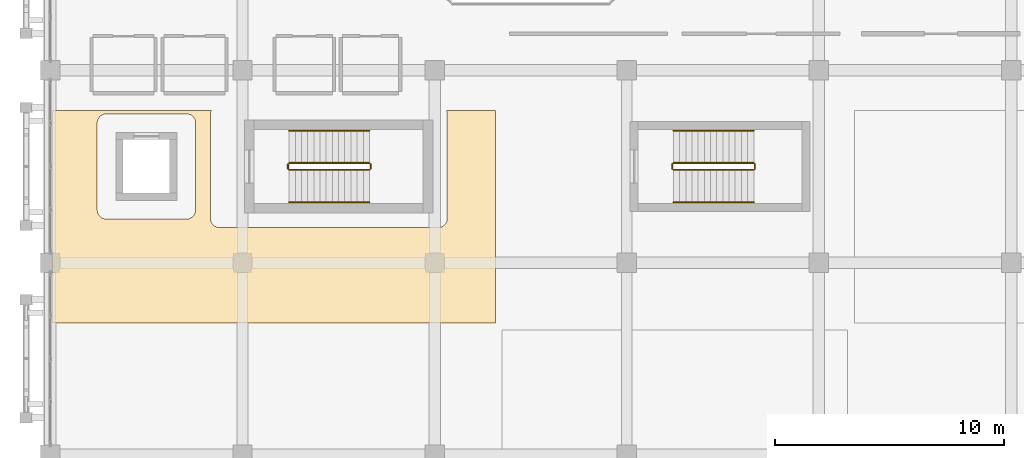
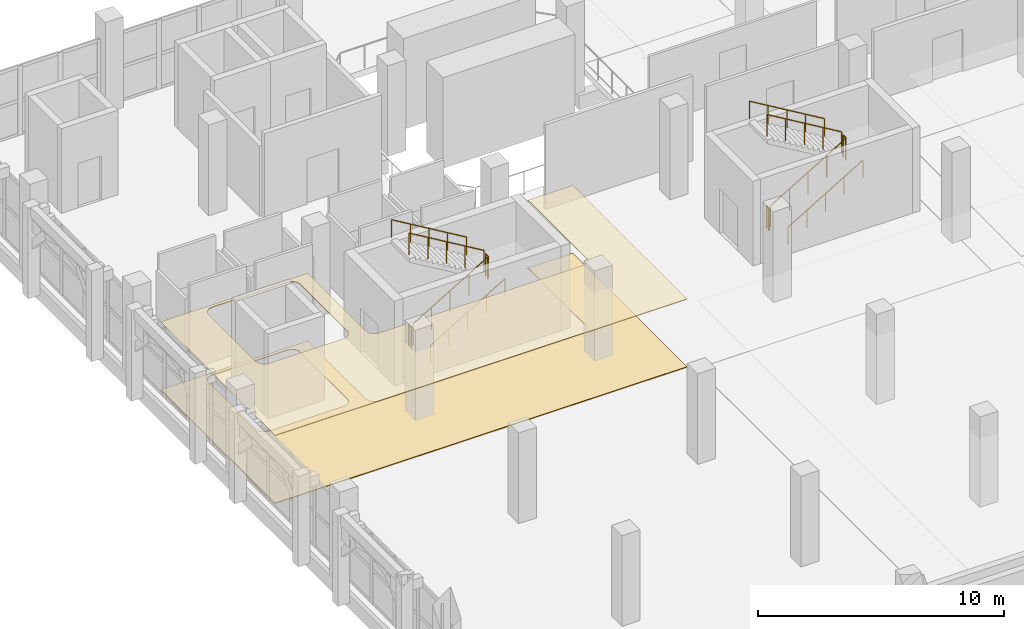
# One storey, part 129 of 137: 12 railings, 2 coverings.
"""IFC4 building model written with IfcOpenShell, lengths in metres."""

from ifc_helpers import new_model, si_unit, direction, frame, origin, origin_2d, place, context, subcontext, project, spatial, polyline, circle, outline, extrude, material, layer, layer_set, type_object, element, save


model = new_model("IFC4")

# Units and contexts
model_context = context("Model", 3, precision=1e-05, world=origin(), true_north=direction((0.0, 1.0)))
body_context = subcontext(model_context, "Body", "Model", "MODEL_VIEW")
ifc_project = project(units=[si_unit("LENGTHUNIT", "METRE"), si_unit("AREAUNIT", "SQUARE_METRE"), si_unit("VOLUMEUNIT", "CUBIC_METRE"), si_unit("PLANEANGLEUNIT", "RADIAN"), si_unit("MASSUNIT", "GRAM", prefix="KILO")], contexts=[model_context])

# Site, building, storey
site_placement = place(None, origin())
site = spatial("IfcSite", under=ifc_project, at=site_placement, CompositionType="ELEMENT")
building_placement = place(site_placement, origin())
building = spatial("IfcBuilding", under=site, at=building_placement, Name="Xazarin Passage Department Store", CompositionType="ELEMENT")
storey_placement = place(building_placement, frame((0.0, 0.0, 5.39990234375)))
storey = spatial("IfcBuildingStorey", under=building, at=storey_placement, Name="L01", CompositionType="ELEMENT", Elevation=5.39990234375)

# Coverings
ifc_material_1 = material(Name="Acoustic mineral ceiling")
ifc_layer_1 = layer(ifc_material_1, 0.0400390625)
ifc_layer_set_1 = layer_set([ifc_layer_1], Name="Acoustic mineral ceiling")
covering_type_1 = type_object("IfcCoveringType", Name="ARC-COV-CLG040", PredefinedType="CEILING", material=ifc_layer_set_1)
covering_1_placement = place(storey_placement, frame((0.0, 0.0, 3.360107421875)))
element("IfcCovering", 1, at=covering_1_placement, inside=storey, type_object=covering_type_1, Name="L01 Luxury Leather Showroom Acoustic Ceiling", PredefinedType="CEILING", context=body_context, shape_type="SweptSolid", body=[
    extrude(outline(polyline([(17.306884765625, 83.050048828125), (17.319580078125, 83.023193359375), (17.332763671875, 82.986083984375), (17.34228515625, 82.947998046875), (17.34814453125, 82.9091796875), (17.35009765625, 82.8701171875), (17.35009765625, 78.330078125), (17.34814453125, 78.290771484375), (17.34228515625, 78.251953125), (17.332763671875, 78.2138671875), (17.319580078125, 78.177001953125), (17.302734375, 78.141357421875), (17.28271484375, 78.10791015625), (17.25927734375, 78.076171875), (17.23291015625, 78.047119140625), (17.203857421875, 78.020751953125), (17.172119140625, 77.997314453125), (17.138671875, 77.977294921875), (17.10302734375, 77.96044921875), (17.066162109375, 77.947265625), (17.028076171875, 77.937744140625), (16.9892578125, 77.931884765625), (16.949951171875, 77.929931640625), (7.39990234375, 77.929931640625), (7.36083984375, 77.931884765625), (7.322021484375, 77.937744140625), (7.283935546875, 77.947265625), (7.246826171875, 77.96044921875), (7.21142578125, 77.977294921875), (7.177734375, 77.997314453125), (7.146240234375, 78.020751953125), (7.1171875, 78.047119140625), (7.0908203125, 78.076171875), (7.0673828125, 78.10791015625), (7.047119140625, 78.141357421875), (7.030517578125, 78.177001953125), (7.01708984375, 78.2138671875), (7.0078125, 78.251953125), (7.001953125, 78.290771484375), (7.0, 78.330078125), (7.0, 82.8701171875), (7.001953125, 82.9091796875), (7.0078125, 82.947998046875), (7.01708984375, 82.986083984375), (7.030517578125, 83.023193359375), (7.043212890625, 83.050048828125), (0.10009765625, 83.050048828125), (0.10009765625, 73.75), (19.449951171875, 73.75), (19.449951171875, 83.050048828125), (17.306884765625, 83.050048828125)]), holes=[polyline([(2.449951171875, 78.300048828125), (2.410888671875, 78.302001953125), (2.3720703125, 78.3076171875), (2.333984375, 78.317138671875), (2.296875, 78.330322265625), (2.261474609375, 78.34716796875), (2.227783203125, 78.367431640625), (2.1962890625, 78.390869140625), (2.167236328125, 78.417236328125), (2.140869140625, 78.4462890625), (2.117431640625, 78.477783203125), (2.09716796875, 78.511474609375), (2.080322265625, 78.546875), (2.067138671875, 78.583984375), (2.0576171875, 78.6220703125), (2.052001953125, 78.660888671875), (2.050048828125, 78.699951171875), (2.050048828125, 82.5), (2.052001953125, 82.539306640625), (2.0576171875, 82.577880859375), (2.067138671875, 82.6162109375), (2.080322265625, 82.653076171875), (2.09716796875, 82.688720703125), (2.117431640625, 82.72216796875), (2.140869140625, 82.75390625), (2.167236328125, 82.78271484375), (2.1962890625, 82.80908203125), (2.227783203125, 82.83251953125), (2.261474609375, 82.852783203125), (2.296875, 82.86962890625), (2.333984375, 82.8828125), (2.3720703125, 82.892333984375), (2.410888671875, 82.898193359375), (2.449951171875, 82.89990234375), (5.949951171875, 82.89990234375), (5.9892578125, 82.898193359375), (6.028076171875, 82.892333984375), (6.066162109375, 82.8828125), (6.10302734375, 82.86962890625), (6.138671875, 82.852783203125), (6.172119140625, 82.83251953125), (6.203857421875, 82.80908203125), (6.23291015625, 82.78271484375), (6.25927734375, 82.75390625), (6.28271484375, 82.72216796875), (6.302734375, 82.688720703125), (6.319580078125, 82.653076171875), (6.332763671875, 82.6162109375), (6.34228515625, 82.577880859375), (6.34814453125, 82.539306640625), (6.35009765625, 82.5), (6.35009765625, 78.699951171875), (6.34814453125, 78.660888671875), (6.34228515625, 78.6220703125), (6.332763671875, 78.583984375), (6.319580078125, 78.546875), (6.302734375, 78.511474609375), (6.28271484375, 78.477783203125), (6.25927734375, 78.4462890625), (6.23291015625, 78.417236328125), (6.203857421875, 78.390869140625), (6.172119140625, 78.367431640625), (6.138671875, 78.34716796875), (6.10302734375, 78.330322265625), (6.066162109375, 78.317138671875), (6.028076171875, 78.3076171875), (5.9892578125, 78.302001953125), (5.949951171875, 78.300048828125), (2.449951171875, 78.300048828125)])]), origin(), (0.0, 0.0, 1.0), 0.0400390625),
])
ifc_material_2 = material(Name="Terrazzo stone flooring", Category="masonry")
ifc_layer_2 = layer(ifc_material_2, 0.034912109375)
ifc_layer_set_2 = layer_set([ifc_layer_2], Name="Terrazzo stone flooring")
covering_type_2 = type_object("IfcCoveringType", Name="ARC-COV-FLR035", PredefinedType="FLOORING", material=ifc_layer_set_2)
covering_2_placement = place(storey_placement, origin())
element("IfcCovering", 2, at=covering_2_placement, inside=storey, type_object=covering_type_2, Name="L01 Luxury Leather Showroom Terrazzo Flooring", PredefinedType="FLOORING", context=body_context, shape_type="SweptSolid", body=[
    extrude(outline(polyline([(17.306884765625, 83.050048828125), (17.319580078125, 83.023193359375), (17.332763671875, 82.986083984375), (17.34228515625, 82.947998046875), (17.34814453125, 82.9091796875), (17.35009765625, 82.8701171875), (17.35009765625, 78.330078125), (17.34814453125, 78.290771484375), (17.34228515625, 78.251953125), (17.332763671875, 78.2138671875), (17.319580078125, 78.177001953125), (17.302734375, 78.141357421875), (17.28271484375, 78.10791015625), (17.25927734375, 78.076171875), (17.23291015625, 78.047119140625), (17.203857421875, 78.020751953125), (17.172119140625, 77.997314453125), (17.138671875, 77.977294921875), (17.10302734375, 77.96044921875), (17.066162109375, 77.947265625), (17.028076171875, 77.937744140625), (16.9892578125, 77.931884765625), (16.949951171875, 77.929931640625), (7.39990234375, 77.929931640625), (7.36083984375, 77.931884765625), (7.322021484375, 77.937744140625), (7.283935546875, 77.947265625), (7.246826171875, 77.96044921875), (7.21142578125, 77.977294921875), (7.177734375, 77.997314453125), (7.146240234375, 78.020751953125), (7.1171875, 78.047119140625), (7.0908203125, 78.076171875), (7.0673828125, 78.10791015625), (7.047119140625, 78.141357421875), (7.030517578125, 78.177001953125), (7.01708984375, 78.2138671875), (7.0078125, 78.251953125), (7.001953125, 78.290771484375), (7.0, 78.330078125), (7.0, 82.8701171875), (7.001953125, 82.9091796875), (7.0078125, 82.947998046875), (7.01708984375, 82.986083984375), (7.030517578125, 83.023193359375), (7.043212890625, 83.050048828125), (0.10009765625, 83.050048828125), (0.10009765625, 73.75), (19.449951171875, 73.75), (19.449951171875, 83.050048828125), (17.306884765625, 83.050048828125)]), holes=[polyline([(2.449951171875, 78.300048828125), (2.410888671875, 78.302001953125), (2.3720703125, 78.3076171875), (2.333984375, 78.317138671875), (2.296875, 78.330322265625), (2.261474609375, 78.34716796875), (2.227783203125, 78.367431640625), (2.1962890625, 78.390869140625), (2.167236328125, 78.417236328125), (2.140869140625, 78.4462890625), (2.117431640625, 78.477783203125), (2.09716796875, 78.511474609375), (2.080322265625, 78.546875), (2.067138671875, 78.583984375), (2.0576171875, 78.6220703125), (2.052001953125, 78.660888671875), (2.050048828125, 78.699951171875), (2.050048828125, 82.5), (2.052001953125, 82.539306640625), (2.0576171875, 82.577880859375), (2.067138671875, 82.6162109375), (2.080322265625, 82.653076171875), (2.09716796875, 82.688720703125), (2.117431640625, 82.72216796875), (2.140869140625, 82.75390625), (2.167236328125, 82.78271484375), (2.1962890625, 82.80908203125), (2.227783203125, 82.83251953125), (2.261474609375, 82.852783203125), (2.296875, 82.86962890625), (2.333984375, 82.8828125), (2.3720703125, 82.892333984375), (2.410888671875, 82.898193359375), (2.449951171875, 82.89990234375), (5.949951171875, 82.89990234375), (5.9892578125, 82.898193359375), (6.028076171875, 82.892333984375), (6.066162109375, 82.8828125), (6.10302734375, 82.86962890625), (6.138671875, 82.852783203125), (6.172119140625, 82.83251953125), (6.203857421875, 82.80908203125), (6.23291015625, 82.78271484375), (6.25927734375, 82.75390625), (6.28271484375, 82.72216796875), (6.302734375, 82.688720703125), (6.319580078125, 82.653076171875), (6.332763671875, 82.6162109375), (6.34228515625, 82.577880859375), (6.34814453125, 82.539306640625), (6.35009765625, 82.5), (6.35009765625, 78.699951171875), (6.34814453125, 78.660888671875), (6.34228515625, 78.6220703125), (6.332763671875, 78.583984375), (6.319580078125, 78.546875), (6.302734375, 78.511474609375), (6.28271484375, 78.477783203125), (6.25927734375, 78.4462890625), (6.23291015625, 78.417236328125), (6.203857421875, 78.390869140625), (6.172119140625, 78.367431640625), (6.138671875, 78.34716796875), (6.10302734375, 78.330322265625), (6.066162109375, 78.317138671875), (6.028076171875, 78.3076171875), (5.9892578125, 78.302001953125), (5.949951171875, 78.300048828125), (2.449951171875, 78.300048828125)])]), origin(), (0.0, 0.0, 1.0), 0.03515625),
])

# Railings
ifc_material_3 = material(Name="Steel S355", Category="steel")
railing_type_1 = type_object("IfcRailingType", Name="ARC-RL-GRD112", PredefinedType="GUARDRAIL", material=ifc_material_3)
railing_1_placement = place(storey_placement, frame((10.43994140625, 80.449951171875, 0.160888671875)))
element("IfcRailing", 3, at=railing_1_placement, inside=storey, type_object=railing_type_1, Name="L01 ST1 stair guard 1", PredefinedType="GUARDRAIL", context=body_context, shape_type="SweptSolid", body=[
    extrude(circle(Radius=0.02392578125, at=origin_2d()), frame((0.0, 0.0, 1.076171875), z_axis=(0.859312273368, 0.0, 0.511451284914), x_axis=(0.0, 1.0, 0.0)), (0.0, 0.0, 1.0), 4.084716796875),
    extrude(circle(Radius=0.02099609375, at=origin_2d()), origin(), (0.0, 0.0, 1.0), 1.0517578125),
    extrude(circle(Radius=0.02099609375, at=origin_2d()), frame((0.87744140625, 0.0, 0.522216796875)), (0.0, 0.0, 1.0), 1.0517578125),
    extrude(circle(Radius=0.02099609375, at=origin_2d()), frame((1.7548828125, 0.0, 1.04443359375)), (0.0, 0.0, 1.0), 1.0517578125),
    extrude(circle(Radius=0.02099609375, at=origin_2d()), frame((2.632568359375, 0.0, 1.56689453125)), (0.0, 0.0, 1.0), 1.0517578125),
    extrude(circle(Radius=0.02099609375, at=origin_2d()), frame((3.510009765625, 0.0, 2.089111328125)), (0.0, 0.0, 1.0), 1.0517578125),
])
railing_2_placement = place(storey_placement, frame((14.0, 80.5, 2.25)))
element("IfcRailing", 4, at=railing_2_placement, inside=storey, type_object=railing_type_1, Name="L01 ST1 stair guard 2", PredefinedType="GUARDRAIL", context=body_context, shape_type="SweptSolid", body=[
    extrude(circle(Radius=0.02392578125, at=origin_2d()), frame((0.0, 0.0, 1.076171875), z_axis=(0.0, 1.0, 0.0), x_axis=(-1.0, 0.0, 0.0)), (0.0, 0.0, 1.0), 0.199951171875),
    extrude(circle(Radius=0.02099609375, at=origin_2d()), origin(), (0.0, 0.0, 1.0), 1.0517578125),
    extrude(circle(Radius=0.02099609375, at=origin_2d()), frame((0.0, 0.199951171875, 0.0)), (0.0, 0.0, 1.0), 1.0517578125),
])
railing_3_placement = place(storey_placement, frame((13.949951171875, 80.75, 2.410888671875)))
element("IfcRailing", 5, at=railing_3_placement, inside=storey, type_object=railing_type_1, Name="L01 ST1 stair guard 3", PredefinedType="GUARDRAIL", context=body_context, shape_type="SweptSolid", body=[
    extrude(circle(Radius=0.02392578125, at=origin_2d()), frame((0.0, 0.0, 1.076171875), z_axis=(-0.859312273368, 0.0, 0.511451284914), x_axis=(0.0, -1.0, 0.0)), (0.0, 0.0, 1.0), 4.084716796875),
    extrude(circle(Radius=0.02099609375, at=origin_2d()), origin(), (0.0, 0.0, 1.0), 1.0517578125),
    extrude(circle(Radius=0.02099609375, at=origin_2d()), frame((-0.87744140625, 0.0, 0.522216796875)), (0.0, 0.0, 1.0), 1.0517578125),
    extrude(circle(Radius=0.02099609375, at=origin_2d()), frame((-1.7548828125, 0.0, 1.04443359375)), (0.0, 0.0, 1.0), 1.0517578125),
    extrude(circle(Radius=0.02099609375, at=origin_2d()), frame((-2.632568359375, 0.0, 1.56689453125)), (0.0, 0.0, 1.0), 1.0517578125),
    extrude(circle(Radius=0.02099609375, at=origin_2d()), frame((-3.510009765625, 0.0, 2.089111328125)), (0.0, 0.0, 1.0), 1.0517578125),
])
railing_4_placement = place(storey_placement, frame((10.389892578125, 80.5, 0.0)))
element("IfcRailing", 6, at=railing_4_placement, inside=storey, type_object=railing_type_1, Name="L01 ST1 stair guard 4", PredefinedType="GUARDRAIL", context=body_context, shape_type="SweptSolid", body=[
    extrude(circle(Radius=0.02392578125, at=origin_2d()), frame((0.0, 0.0, 1.076171875), z_axis=(0.0, 1.0, 0.0), x_axis=(-1.0, 0.0, 0.0)), (0.0, 0.0, 1.0), 0.199951171875),
    extrude(circle(Radius=0.02099609375, at=origin_2d()), origin(), (0.0, 0.0, 1.0), 1.0517578125),
    extrude(circle(Radius=0.02099609375, at=origin_2d()), frame((0.0, 0.199951171875, 0.0)), (0.0, 0.0, 1.0), 1.0517578125),
])
railing_5_placement = place(storey_placement, frame((27.239990234375, 80.449951171875, 0.160888671875)))
element("IfcRailing", 7, at=railing_5_placement, inside=storey, type_object=railing_type_1, Name="L01 ST3 stair guard 1", PredefinedType="GUARDRAIL", context=body_context, shape_type="SweptSolid", body=[
    extrude(circle(Radius=0.02392578125, at=origin_2d()), frame((0.0, 0.0, 1.076171875), z_axis=(0.859312273368, 0.0, 0.511451284914), x_axis=(0.0, 1.0, 0.0)), (0.0, 0.0, 1.0), 4.084716796875),
    extrude(circle(Radius=0.02099609375, at=origin_2d()), origin(), (0.0, 0.0, 1.0), 1.0517578125),
    extrude(circle(Radius=0.02099609375, at=origin_2d()), frame((0.87744140625, 0.0, 0.522216796875)), (0.0, 0.0, 1.0), 1.0517578125),
    extrude(circle(Radius=0.02099609375, at=origin_2d()), frame((1.7548828125, 0.0, 1.04443359375)), (0.0, 0.0, 1.0), 1.0517578125),
    extrude(circle(Radius=0.02099609375, at=origin_2d()), frame((2.632568359375, 0.0, 1.56689453125)), (0.0, 0.0, 1.0), 1.0517578125),
    extrude(circle(Radius=0.02099609375, at=origin_2d()), frame((3.510009765625, 0.0, 2.089111328125)), (0.0, 0.0, 1.0), 1.0517578125),
])
railing_6_placement = place(storey_placement, frame((30.800048828125, 80.5, 2.25)))
element("IfcRailing", 8, at=railing_6_placement, inside=storey, type_object=railing_type_1, Name="L01 ST3 stair guard 2", PredefinedType="GUARDRAIL", context=body_context, shape_type="SweptSolid", body=[
    extrude(circle(Radius=0.02392578125, at=origin_2d()), frame((0.0, 0.0, 1.076171875), z_axis=(0.0, 1.0, 0.0), x_axis=(-1.0, 0.0, 0.0)), (0.0, 0.0, 1.0), 0.199951171875),
    extrude(circle(Radius=0.02099609375, at=origin_2d()), origin(), (0.0, 0.0, 1.0), 1.0517578125),
    extrude(circle(Radius=0.02099609375, at=origin_2d()), frame((0.0, 0.199951171875, 0.0)), (0.0, 0.0, 1.0), 1.0517578125),
])
railing_7_placement = place(storey_placement, frame((30.75, 80.75, 2.410888671875)))
element("IfcRailing", 9, at=railing_7_placement, inside=storey, type_object=railing_type_1, Name="L01 ST3 stair guard 3", PredefinedType="GUARDRAIL", context=body_context, shape_type="SweptSolid", body=[
    extrude(circle(Radius=0.02392578125, at=origin_2d()), frame((0.0, 0.0, 1.076171875), z_axis=(-0.859312273368, 0.0, 0.511451284914), x_axis=(0.0, -1.0, 0.0)), (0.0, 0.0, 1.0), 4.084716796875),
    extrude(circle(Radius=0.02099609375, at=origin_2d()), origin(), (0.0, 0.0, 1.0), 1.0517578125),
    extrude(circle(Radius=0.02099609375, at=origin_2d()), frame((-0.87744140625, 0.0, 0.522216796875)), (0.0, 0.0, 1.0), 1.0517578125),
    extrude(circle(Radius=0.02099609375, at=origin_2d()), frame((-1.7548828125, 0.0, 1.04443359375)), (0.0, 0.0, 1.0), 1.0517578125),
    extrude(circle(Radius=0.02099609375, at=origin_2d()), frame((-2.632568359375, 0.0, 1.56689453125)), (0.0, 0.0, 1.0), 1.0517578125),
    extrude(circle(Radius=0.02099609375, at=origin_2d()), frame((-3.510009765625, 0.0, 2.089111328125)), (0.0, 0.0, 1.0), 1.0517578125),
])
railing_8_placement = place(storey_placement, frame((27.18994140625, 80.5, 0.0)))
element("IfcRailing", 10, at=railing_8_placement, inside=storey, type_object=railing_type_1, Name="L01 ST3 stair guard 4", PredefinedType="GUARDRAIL", context=body_context, shape_type="SweptSolid", body=[
    extrude(circle(Radius=0.02392578125, at=origin_2d()), frame((0.0, 0.0, 1.076171875), z_axis=(0.0, 1.0, 0.0), x_axis=(-1.0, 0.0, 0.0)), (0.0, 0.0, 1.0), 0.199951171875),
    extrude(circle(Radius=0.02099609375, at=origin_2d()), origin(), (0.0, 0.0, 1.0), 1.0517578125),
    extrude(circle(Radius=0.02099609375, at=origin_2d()), frame((0.0, 0.199951171875, 0.0)), (0.0, 0.0, 1.0), 1.0517578125),
])
railing_type_2 = type_object("IfcRailingType", Name="ARC-RL-HND090", PredefinedType="HANDRAIL", material=ifc_material_3)
railing_9_placement = place(storey_placement, frame((10.43994140625, 79.030029296875, 0.160888671875)))
element("IfcRailing", 11, at=railing_9_placement, inside=storey, type_object=railing_type_2, Name="L01 ST1 stair handrail 1", PredefinedType="HANDRAIL", context=body_context, shape_type="SweptSolid", body=[
    extrude(circle(Radius=0.02392578125, at=origin_2d()), frame((0.0, 0.0, 0.8759765625), z_axis=(0.859312273368, 0.0, 0.511451284914), x_axis=(0.0, 1.0, 0.0)), (0.0, 0.0, 1.0), 4.084716796875),
    extrude(circle(Radius=0.02099609375, at=origin_2d()), origin(), (0.0, 0.0, 1.0), 0.8515625),
    extrude(circle(Radius=0.02099609375, at=origin_2d()), frame((0.87744140625, 0.0, 0.522216796875)), (0.0, 0.0, 1.0), 0.8515625),
    extrude(circle(Radius=0.02099609375, at=origin_2d()), frame((1.7548828125, 0.0, 1.04443359375)), (0.0, 0.0, 1.0), 0.8515625),
    extrude(circle(Radius=0.02099609375, at=origin_2d()), frame((2.632568359375, 0.0, 1.56689453125)), (0.0, 0.0, 1.0), 0.8515625),
    extrude(circle(Radius=0.02099609375, at=origin_2d()), frame((3.510009765625, 0.0, 2.089111328125)), (0.0, 0.0, 1.0), 0.8515625),
])
railing_10_placement = place(storey_placement, frame((13.949951171875, 82.169921875, 2.410888671875)))
element("IfcRailing", 12, at=railing_10_placement, inside=storey, type_object=railing_type_2, Name="L01 ST1 stair handrail 2", PredefinedType="HANDRAIL", context=body_context, shape_type="SweptSolid", body=[
    extrude(circle(Radius=0.02392578125, at=origin_2d()), frame((0.0, 0.0, 0.8759765625), z_axis=(-0.859312273368, 0.0, 0.511451284914), x_axis=(0.0, -1.0, 0.0)), (0.0, 0.0, 1.0), 4.084716796875),
    extrude(circle(Radius=0.02099609375, at=origin_2d()), origin(), (0.0, 0.0, 1.0), 0.8515625),
    extrude(circle(Radius=0.02099609375, at=origin_2d()), frame((-0.87744140625, 0.0, 0.522216796875)), (0.0, 0.0, 1.0), 0.8515625),
    extrude(circle(Radius=0.02099609375, at=origin_2d()), frame((-1.7548828125, 0.0, 1.04443359375)), (0.0, 0.0, 1.0), 0.8515625),
    extrude(circle(Radius=0.02099609375, at=origin_2d()), frame((-2.632568359375, 0.0, 1.56689453125)), (0.0, 0.0, 1.0), 0.8515625),
    extrude(circle(Radius=0.02099609375, at=origin_2d()), frame((-3.510009765625, 0.0, 2.089111328125)), (0.0, 0.0, 1.0), 0.8515625),
])
railing_11_placement = place(storey_placement, frame((27.239990234375, 79.030029296875, 0.160888671875)))
element("IfcRailing", 13, at=railing_11_placement, inside=storey, type_object=railing_type_2, Name="L01 ST3 stair handrail 1", PredefinedType="HANDRAIL", context=body_context, shape_type="SweptSolid", body=[
    extrude(circle(Radius=0.02392578125, at=origin_2d()), frame((0.0, 0.0, 0.8759765625), z_axis=(0.859312273368, 0.0, 0.511451284914), x_axis=(0.0, 1.0, 0.0)), (0.0, 0.0, 1.0), 4.084716796875),
    extrude(circle(Radius=0.02099609375, at=origin_2d()), origin(), (0.0, 0.0, 1.0), 0.8515625),
    extrude(circle(Radius=0.02099609375, at=origin_2d()), frame((0.87744140625, 0.0, 0.522216796875)), (0.0, 0.0, 1.0), 0.8515625),
    extrude(circle(Radius=0.02099609375, at=origin_2d()), frame((1.7548828125, 0.0, 1.04443359375)), (0.0, 0.0, 1.0), 0.8515625),
    extrude(circle(Radius=0.02099609375, at=origin_2d()), frame((2.632568359375, 0.0, 1.56689453125)), (0.0, 0.0, 1.0), 0.8515625),
    extrude(circle(Radius=0.02099609375, at=origin_2d()), frame((3.510009765625, 0.0, 2.089111328125)), (0.0, 0.0, 1.0), 0.8515625),
])
railing_12_placement = place(storey_placement, frame((30.75, 82.169921875, 2.410888671875)))
element("IfcRailing", 14, at=railing_12_placement, inside=storey, type_object=railing_type_2, Name="L01 ST3 stair handrail 2", PredefinedType="HANDRAIL", context=body_context, shape_type="SweptSolid", body=[
    extrude(circle(Radius=0.02392578125, at=origin_2d()), frame((0.0, 0.0, 0.8759765625), z_axis=(-0.859312273368, 0.0, 0.511451284914), x_axis=(0.0, -1.0, 0.0)), (0.0, 0.0, 1.0), 4.084716796875),
    extrude(circle(Radius=0.02099609375, at=origin_2d()), origin(), (0.0, 0.0, 1.0), 0.8515625),
    extrude(circle(Radius=0.02099609375, at=origin_2d()), frame((-0.87744140625, 0.0, 0.522216796875)), (0.0, 0.0, 1.0), 0.8515625),
    extrude(circle(Radius=0.02099609375, at=origin_2d()), frame((-1.7548828125, 0.0, 1.04443359375)), (0.0, 0.0, 1.0), 0.8515625),
    extrude(circle(Radius=0.02099609375, at=origin_2d()), frame((-2.632568359375, 0.0, 1.56689453125)), (0.0, 0.0, 1.0), 0.8515625),
    extrude(circle(Radius=0.02099609375, at=origin_2d()), frame((-3.510009765625, 0.0, 2.089111328125)), (0.0, 0.0, 1.0), 0.8515625),
])

save(model, "model.ifc")
